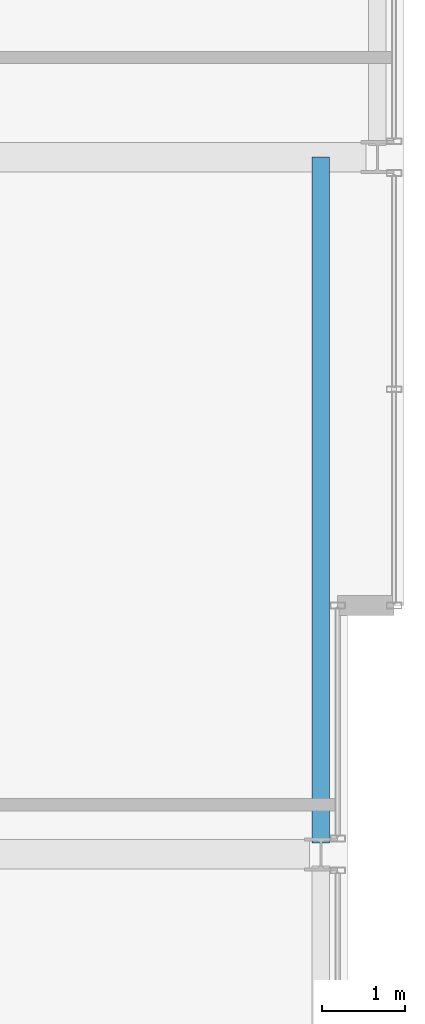
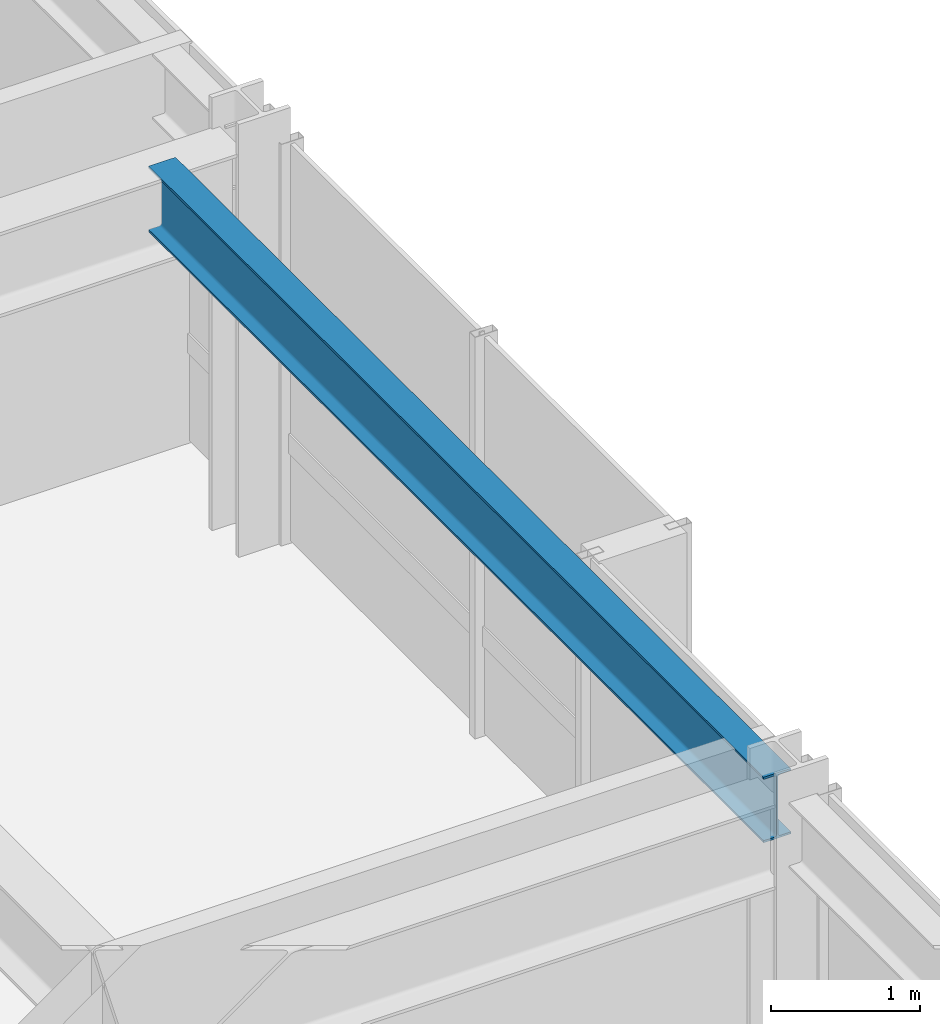
# One storey, part 16 of 31: 1 beam.
"""IFC4 building model written with IfcOpenShell, lengths in metres."""

from ifc_helpers import new_model, si_unit, direction, frame, origin, origin_2d, place, context, subcontext, project, spatial, i_section, extrude, material, material_profile, profile_set, type_object, element, save


model = new_model("IFC4")

# Units and contexts
model_context = context("Model", 3, precision=1e-05, world=origin(), true_north=direction((0.0, 1.0)))
body_context = subcontext(model_context, "Body", "Model", "MODEL_VIEW")
ifc_project = project(units=[si_unit("LENGTHUNIT", "METRE"), si_unit("AREAUNIT", "SQUARE_METRE"), si_unit("VOLUMEUNIT", "CUBIC_METRE"), si_unit("PLANEANGLEUNIT", "RADIAN"), si_unit("MASSUNIT", "GRAM", prefix="KILO")], contexts=[model_context])

# Site, building, storey
site_placement = place(None, origin())
site = spatial("IfcSite", under=ifc_project, at=site_placement, CompositionType="ELEMENT")
building_placement = place(site_placement, origin())
building = spatial("IfcBuilding", under=site, at=building_placement, Name="Drelvath Grand Hotel", CompositionType="ELEMENT")
storey_placement = place(building_placement, frame((0.0, 0.0, 185.89990234375)))
storey = spatial("IfcBuildingStorey", under=building, at=storey_placement, Name="L48", CompositionType="ELEMENT", Elevation=185.89990234375)

# Beam
ifc_material = material(Name="Steel ASTM A992 Gr 50", Category="steel")
ifc_material_profile = material_profile(ifc_material, i_section(OverallWidth=0.210205078125, OverallDepth=0.53662109375, WebThickness=0.010986328125, FlangeThickness=0.017333984375, FilletRadius=0.01806640625, at=origin_2d()), Name="W21X68")
ifc_profile_set = profile_set([ifc_material_profile], Name="Steel ASTM A992 Gr 50")
beam_type = type_object("IfcBeamType", Name="Perimeter Spandrel Beam W21X68", PredefinedType="SPANDREL", material=ifc_profile_set)
beam_placement = place(storey_placement, frame((21.199951171875, 27.139892578125, 3.021728515625), z_axis=(0.0, 1.0, 0.0), x_axis=(-1.0, 0.0, 0.0)))
element("IfcBeam", 1, at=beam_placement, inside=storey, type_object=beam_type, Name="L48 Spandrel East Mid N", PredefinedType="SPANDREL", context=body_context, shape_type="SweptSolid", body=[
    extrude(i_section(OverallWidth=0.210205078125, OverallDepth=0.53662109375, WebThickness=0.010986328125, FlangeThickness=0.017333984375, FilletRadius=0.01806640625, at=origin_2d()), origin(), (0.0, 0.0, 1.0), 8.260009765625),
])

save(model, "model.ifc")
